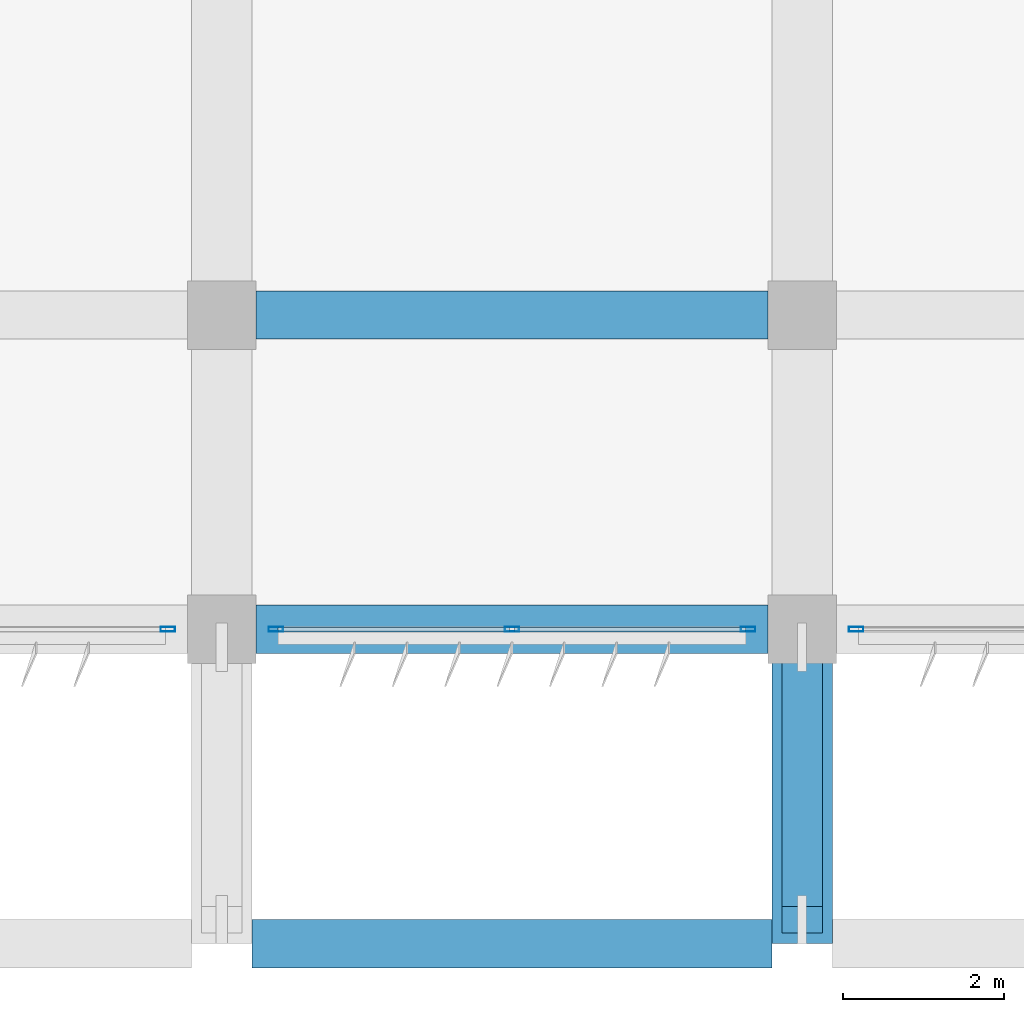
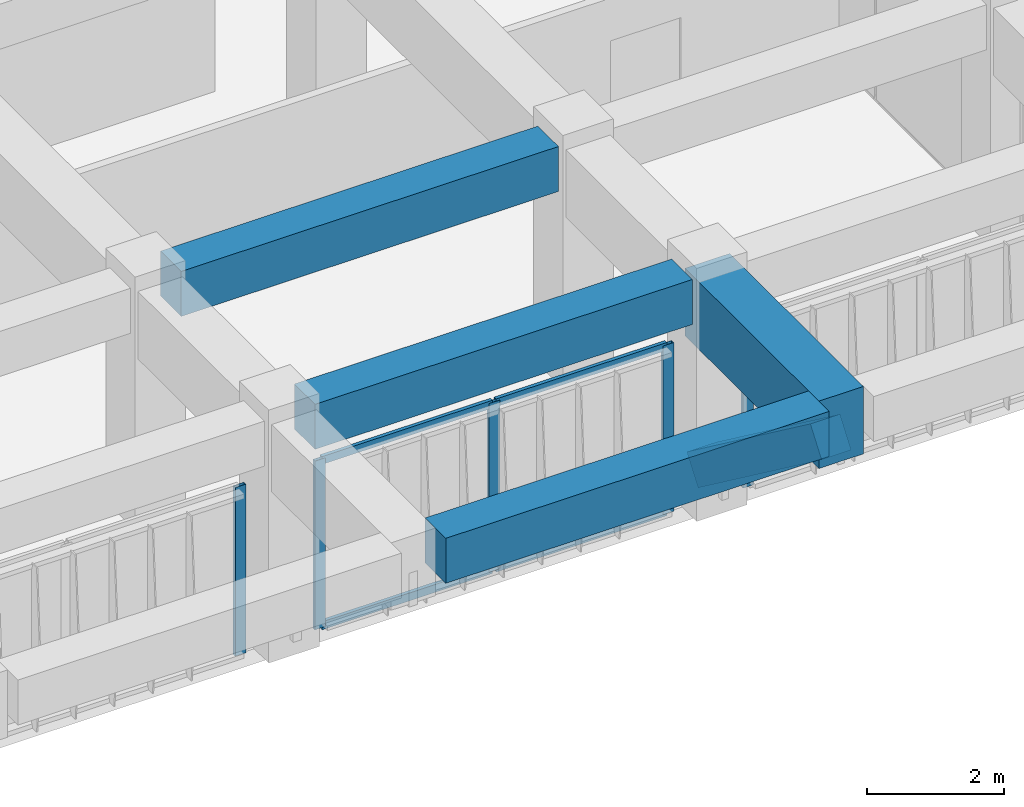
# One storey, part 19 of 56: 10 members, 4 beams, 3 elements without a shape of their own.
"""IFC4 building model written with IfcOpenShell, lengths in metres."""

import ifcopenshell
import ifcopenshell.guid

model = None  # the IFC model being written
_history = None  # IfcOwnerHistory: only IFC2X3 demands one
_inside = {}  # id of a spatial element -> (the spatial element, [elements in it])
_under = {}  # id of a project, library or spatial element -> (it, [spatial elements below it])
_declared = {}  # id of a project -> (the project, [libraries it declares])
_typed = {}  # id of a type object -> (the type object, [elements of that type])
_made_of = {}  # id of a material, layer set ... -> (it, [elements and type objects made of it])


def new_model(schema):
    """Start an empty IFC model of exactly this schema.

    Asked for "IFC4X3", IfcOpenShell would pick the latest addendum, in which some entities
    have other attributes; the version numbers below select the first issue.
    IFC2X3 requires an IfcOwnerHistory on every rooted entity: one is made here for all.
    """
    global model, _history
    if schema == "IFC4X3":
        model = ifcopenshell.file(schema_version=(4, 3, 0, 0))
    else:
        model = ifcopenshell.file(schema=schema)
    _inside.clear()
    _under.clear()
    _declared.clear()
    _typed.clear()
    _made_of.clear()
    _history = None
    if model.schema == "IFC2X3":
        org = make("IfcOrganization", Name="unknown")
        user = make(
            "IfcPersonAndOrganization",
            ThePerson=make("IfcPerson", FamilyName="unknown"),
            TheOrganization=org,
        )
        app = make(
            "IfcApplication",
            ApplicationDeveloper=org,
            Version="unknown",
            ApplicationFullName="unknown",
            ApplicationIdentifier="unknown",
        )
        _history = make(
            "IfcOwnerHistory",
            OwningUser=user,
            OwningApplication=app,
            ChangeAction="ADDED",
            CreationDate=0,
        )
    return model


def make(cls, **values):
    """One entity of the class cls with the attributes given. An attribute that is None is left unset."""
    return model.create_entity(
        cls, **{name: value for name, value in values.items() if value is not None}
    )


def rooted(cls, **values):
    """An entity with a GlobalId (a new one), such as an element, a storey or a relation."""
    return make(cls, GlobalId=ifcopenshell.guid.new(), OwnerHistory=_history, **values)


def si_unit(unit_type, name, prefix=None):
    """IfcSIUnit, for example si_unit("LENGTHUNIT", "METRE", prefix="MILLI")."""
    return make("IfcSIUnit", UnitType=unit_type, Prefix=prefix, Name=name)


def assignment(units):
    """IfcUnitAssignment: the units of a project."""
    return None if units is None else make("IfcUnitAssignment", Units=units)


def point(xyz):
    """IfcCartesianPoint."""
    return None if xyz is None else make("IfcCartesianPoint", Coordinates=xyz)


def direction(xyz):
    """IfcDirection."""
    return None if xyz is None else make("IfcDirection", DirectionRatios=xyz)


def frame(location, z_axis=None, x_axis=None):
    """IfcAxis2Placement3D, a coordinate frame: its origin and axes. An axis left out is left unset."""
    return make(
        "IfcAxis2Placement3D",
        Location=point(location),
        Axis=direction(z_axis),
        RefDirection=direction(x_axis),
    )


def frame_2d(location, x_axis=None):
    """IfcAxis2Placement2D, a coordinate frame in the plane: its origin and x axis."""
    return make(
        "IfcAxis2Placement2D", Location=point(location), RefDirection=direction(x_axis)
    )


def origin():
    """The frame at (0, 0, 0) with its axes left unset."""
    return frame((0.0, 0.0, 0.0))


def origin_2d():
    """The frame at (0, 0) in the plane with its x axis left unset."""
    return frame_2d((0.0, 0.0))


def place(relative_to, where):
    """IfcLocalPlacement: puts the frame where relative to a parent placement (None: the world)."""
    return make(
        "IfcLocalPlacement", PlacementRelTo=relative_to, RelativePlacement=where
    )


def context(
    kind, dimensions, precision=None, world=None, true_north=None, identifier=None
):
    """IfcGeometricRepresentationContext, for example the 3D "Model" context."""
    return make(
        "IfcGeometricRepresentationContext",
        ContextIdentifier=identifier,
        ContextType=kind,
        CoordinateSpaceDimension=dimensions,
        Precision=precision,
        WorldCoordinateSystem=world,
        TrueNorth=true_north,
    )


def subcontext(parent, identifier, kind, view, scale=None):
    """IfcGeometricRepresentationSubContext, for example "Body" below "Model"."""
    return make(
        "IfcGeometricRepresentationSubContext",
        ContextIdentifier=identifier,
        ContextType=kind,
        ParentContext=parent,
        TargetScale=scale,
        TargetView=view,
    )


def project(units=None, contexts=None):
    """IfcProject with its units and contexts."""
    return rooted(
        "IfcProject",
        Name="project",
        RepresentationContexts=contexts,
        UnitsInContext=assignment(units),
    )


def spatial(cls, under=None, at=None, **own):
    """A site, building, storey or space (cls), placed at a placement, below another one or the project."""
    s = rooted(cls, ObjectPlacement=at, **own)
    if under is not None:
        _under.setdefault(under.id(), (under, []))[1].append(s)
    return s


def profile(cls, at=None, kind="AREA", **sizes):
    """A parametric profile (cls). Its sizes go by their IFC names, for example OverallWidth=200.0."""
    return make(cls, ProfileType=kind, Position=at, **sizes)


def rectangle(**sizes):
    """IfcRectangleProfileDef."""
    return profile("IfcRectangleProfileDef", **sizes)


def hollow_rectangle(**sizes):
    """IfcRectangleHollowProfileDef."""
    return profile("IfcRectangleHollowProfileDef", **sizes)


def extrude(swept, where, along, depth):
    """IfcExtrudedAreaSolid: the profile swept, set in the frame where, extruded along a direction by depth."""
    return make(
        "IfcExtrudedAreaSolid",
        SweptArea=swept,
        Position=where,
        ExtrudedDirection=direction(along),
        Depth=depth,
    )


def shape(context_of_items, identifier, shape_type, items):
    """IfcShapeRepresentation: the items that make up one representation, for example the "Body"."""
    return make(
        "IfcShapeRepresentation",
        ContextOfItems=context_of_items,
        RepresentationIdentifier=identifier,
        RepresentationType=shape_type,
        Items=items,
    )


def material(Name=None, Category=None):
    """IfcMaterial."""
    return make("IfcMaterial", Name=Name, Category=Category)


def material_profile(
    of_material, cross_section, Name=None, Category=None, Priority=None
):
    """IfcMaterialProfile: a cross section and its material."""
    return make(
        "IfcMaterialProfile",
        Name=Name,
        Material=of_material,
        Profile=cross_section,
        Priority=Priority,
        Category=Category,
    )


def profile_set(profiles, Name=None, composite=None):
    """IfcMaterialProfileSet."""
    return make(
        "IfcMaterialProfileSet",
        Name=Name,
        MaterialProfiles=profiles,
        CompositeProfile=composite,
    )


def made_of(thing, what):
    """Note that an element or type object is made of a material, layer set ...; save() writes the relation."""
    if what is not None:
        _made_of.setdefault(what.id(), (what, []))[1].append(thing)
    return thing


def type_object(cls, material=None, **own):
    """A type object (cls), such as IfcWallType, which elements share."""
    return made_of(rooted(cls, **own), material)


def element(
    cls,
    number,
    at=None,
    inside=None,
    cuts=None,
    type_object=None,
    material=None,
    context=None,
    identifier="Body",
    shape_type=None,
    held_by="IfcProductDefinitionShape",
    body=None,
    shapes=None,
    **own,
):
    """One element of the class cls, such as IfcWall. Its Tag is "e" and its number.

    at: its placement. inside: the storey or other place that contains it. cuts: it is an
    opening in that element (IfcRelVoidsElement). A single representation is given by context,
    identifier, shape_type and body (its items); several are given by shapes. held_by: the class
    of the entity that holds the representations. save() writes the other relations.
    """
    e = rooted(cls, Tag="e%d" % number, ObjectPlacement=at, **own)
    if body is not None:
        shapes = [shape(context, identifier, shape_type, body)]
    if shapes is not None:
        e.Representation = make(held_by, Representations=shapes)
    if inside is not None:
        _inside.setdefault(inside.id(), (inside, []))[1].append(e)
    if cuts is not None:
        rooted(
            "IfcRelVoidsElement", RelatingBuildingElement=cuts, RelatedOpeningElement=e
        )
    if type_object is not None:
        _typed.setdefault(type_object.id(), (type_object, []))[1].append(e)
    return made_of(e, material)


def aggregate(whole, parts):
    """IfcRelAggregates: a whole, such as a stair, and the parts it consists of."""
    return rooted("IfcRelAggregates", RelatingObject=whole, RelatedObjects=parts)


def save(model, path):
    """Write the relations noted so far, then the file.

    IfcRelAggregates (storeys below a building ...), IfcRelContainedInSpatialStructure (elements
    in a storey), IfcRelDefinesByType, IfcRelAssociatesMaterial and IfcRelDeclares: one each for
    every whole, place, type object, material and project.
    """
    for whole, parts in _under.values():
        aggregate(whole, parts)
    for where, things in _inside.values():
        rooted(
            "IfcRelContainedInSpatialStructure",
            RelatedElements=things,
            RelatingStructure=where,
        )
    for kind, things in _typed.values():
        rooted("IfcRelDefinesByType", RelatedObjects=things, RelatingType=kind)
    for what, things in _made_of.values():
        rooted("IfcRelAssociatesMaterial", RelatedObjects=things, RelatingMaterial=what)
    for by, libraries in _declared.values():
        rooted("IfcRelDeclares", RelatingContext=by, RelatedDefinitions=libraries)
    model.write(path)


model = new_model("IFC4")

# Units and contexts
model_context = context("Model", 3, precision=1e-05, world=origin(), true_north=direction((0.0, 1.0)))
body_context = subcontext(model_context, "Body", "Model", "MODEL_VIEW")
ifc_project = project(units=[si_unit("LENGTHUNIT", "METRE"), si_unit("AREAUNIT", "SQUARE_METRE"), si_unit("VOLUMEUNIT", "CUBIC_METRE"), si_unit("PLANEANGLEUNIT", "RADIAN"), si_unit("MASSUNIT", "GRAM", prefix="KILO")], contexts=[model_context])

# Site, building, storey
site_placement = place(None, origin())
site = spatial("IfcSite", under=ifc_project, at=site_placement, CompositionType="ELEMENT")
building_placement = place(site_placement, origin())
building = spatial("IfcBuilding", under=site, at=building_placement, Name="Kazehaya Institute of Natural Sciences", CompositionType="ELEMENT")
storey_placement = place(building_placement, frame((0.0, 0.0, 24.300048828125)))
storey = spatial("IfcBuildingStorey", under=building, at=storey_placement, Name="L05", CompositionType="ELEMENT", Elevation=24.300048828125)

# Beams
ifc_material_1 = material(Name="Concrete Fc36", Category="concrete")
ifc_material_profile_1 = material_profile(ifc_material_1, rectangle(XDim=0.60009765625, YDim=0.800048828125, at=origin_2d()), Name="RC-600x800")
ifc_profile_set_1 = profile_set([ifc_material_profile_1], Name="Concrete Fc36")
beam_type_1 = type_object("IfcBeamType", Name="BM-G-600x800", PredefinedType="BEAM", material=ifc_profile_set_1)
beam_1_placement = place(storey_placement, frame((105.375, 6.199951171875, 3.829833984375), z_axis=(1.0, 0.0, 0.0), x_axis=(0.0, 1.0, 0.0)))
element("IfcBeam", 1, at=beam_1_placement, inside=storey, type_object=beam_type_1, Name="L05 primary X girder BMX-L05-1050-62", PredefinedType="BEAM", context=body_context, shape_type="SweptSolid", body=[
    extrude(rectangle(XDim=0.60009765625, YDim=0.800048828125, at=origin_2d()), origin(), (0.0, 0.0, 1.0), 6.449951171875),
])
for number, where, z_axis, x_axis, name in (
    (2, (105.425048828125, 10.10009765625, 3.829833984375), (1.0, 0.0, 0.0), (0.0, 1.0, 0.0), "L05 primary X girder BMX-L05-1050-101"),
    (3, (105.425048828125, 14.0, 3.829833984375), (1.0, 0.0, 0.0), (0.0, 1.0, 0.0), "L05 primary X girder BMX-L05-1050-140"),
):
    element("IfcBeam", number, at=place(storey_placement, frame(where, z_axis=z_axis, x_axis=x_axis)), inside=storey, type_object=beam_type_1, Name=name, PredefinedType="BEAM", context=body_context, shape_type="SweptSolid", body=[
        extrude(rectangle(XDim=0.60009765625, YDim=0.800048828125, at=origin_2d()), origin(), (0.0, 0.0, 1.0), 6.349853515625),
    ])
ifc_material_2 = material(Name="Concrete Fc42", Category="concrete")
ifc_material_profile_2 = material_profile(ifc_material_2, rectangle(XDim=0.75, YDim=1.199951171875, at=origin_2d()), Name="RC-750x1200")
ifc_profile_set_2 = profile_set([ifc_material_profile_2], Name="Concrete Fc42")
beam_type_2 = type_object("IfcBeamType", Name="BM-TG-750x1200", PredefinedType="BEAM", material=ifc_profile_set_2)
beam_2_placement = place(storey_placement, frame((112.199951171875, 6.199951171875, 3.6298828125), z_axis=(0.0, 1.0, 0.0), x_axis=(-1.0, 0.0, 0.0)))
element("IfcBeam", 4, at=beam_2_placement, inside=storey, type_object=beam_type_2, Name="L05 cantilever transfer girder 1759", PredefinedType="BEAM", context=body_context, shape_type="SweptSolid", body=[
    extrude(rectangle(XDim=0.75, YDim=1.199951171875, at=origin_2d()), origin(), (0.0, 0.0, 1.0), 3.900146484375),
])

# Curtain wall, member
ifc_material_3 = material(Name="Aluminium alloy A6063S-T5", Category="aluminium")
curtain_wall_type = type_object("IfcCurtainWallType", Name="CW-SYS-04", PredefinedType="NOTDEFINED", material=ifc_material_3)
curtain_wall_1_placement = place(storey_placement, origin())
curtain_wall_1 = element("IfcCurtainWall", 5, at=curtain_wall_1_placement, inside=storey, type_object=curtain_wall_type, Name="L05 unitised curtain wall CW-L05-094", PredefinedType="NOTDEFINED")
ifc_material_profile_3 = material_profile(ifc_material_3, hollow_rectangle(XDim=0.06005859375, YDim=0.179931640625, WallThickness=0.00390625, at=origin_2d()), Name="ALU-60x180x4")
ifc_profile_set_3 = profile_set([ifc_material_profile_3], Name="Aluminium alloy A6063S-T5")
member_type_1 = type_object("IfcMemberType", Name="CWM-180", PredefinedType="MULLION", material=ifc_profile_set_3)
member_1_placement = place(storey_placement, frame((112.8701171875, 10.10009765625, 0.0), z_axis=(0.0, 0.0, 1.0), x_axis=(0.0, -1.0, 0.0)))
member_1 = element("IfcMember", 6, at=member_1_placement, type_object=member_type_1, Name="CW04 mullion 3", PredefinedType="MULLION", context=body_context, shape_type="SweptSolid", body=[
    extrude(hollow_rectangle(XDim=0.06005859375, YDim=0.179931640625, WallThickness=0.00390625, at=origin_2d()), origin(), (0.0, 0.0, 1.0), 3.0),
])
aggregate(curtain_wall_1, [member_1])

# Curtain wall, members
curtain_wall_2_placement = place(storey_placement, origin())
curtain_wall_2 = element("IfcCurtainWall", 7, at=curtain_wall_2_placement, inside=storey, type_object=curtain_wall_type, Name="L05 unitised curtain wall CW-L05-095", PredefinedType="NOTDEFINED")
member_2_placement = place(storey_placement, frame((111.530029296875, 10.10009765625, 0.0), z_axis=(0.0, 0.0, 1.0), x_axis=(0.0, -1.0, 0.0)))
member_2 = element("IfcMember", 8, at=member_2_placement, type_object=member_type_1, Name="CW04 mullion 1", PredefinedType="MULLION", context=body_context, shape_type="SweptSolid", body=[
    extrude(hollow_rectangle(XDim=0.06005859375, YDim=0.179931640625, WallThickness=0.00390625, at=origin_2d()), origin(), (0.0, 0.0, 1.0), 3.0),
])
member_3_placement = place(storey_placement, frame((108.60009765625, 10.10009765625, 0.0), z_axis=(0.0, 0.0, 1.0), x_axis=(0.0, -1.0, 0.0)))
member_3 = element("IfcMember", 9, at=member_3_placement, type_object=member_type_1, Name="CW04 mullion 2", PredefinedType="MULLION", context=body_context, shape_type="SweptSolid", body=[
    extrude(hollow_rectangle(XDim=0.06005859375, YDim=0.179931640625, WallThickness=0.00390625, at=origin_2d()), origin(), (0.0, 0.0, 1.0), 3.0),
])
member_4_placement = place(storey_placement, frame((105.669921875, 10.10009765625, 0.0), z_axis=(0.0, 0.0, 1.0), x_axis=(0.0, -1.0, 0.0)))
member_4 = element("IfcMember", 10, at=member_4_placement, type_object=member_type_1, Name="CW04 mullion 3", PredefinedType="MULLION", context=body_context, shape_type="SweptSolid", body=[
    extrude(hollow_rectangle(XDim=0.06005859375, YDim=0.179931640625, WallThickness=0.00390625, at=origin_2d()), origin(), (0.0, 0.0, 1.0), 3.0),
])

# Curtain wall, member
curtain_wall_3_placement = place(storey_placement, origin())
curtain_wall_3 = element("IfcCurtainWall", 11, at=curtain_wall_3_placement, inside=storey, type_object=curtain_wall_type, Name="L05 unitised curtain wall CW-L05-096", PredefinedType="NOTDEFINED")
member_5_placement = place(storey_placement, frame((104.330078125, 10.10009765625, 0.0), z_axis=(0.0, 0.0, 1.0), x_axis=(0.0, -1.0, 0.0)))
member_5 = element("IfcMember", 12, at=member_5_placement, type_object=member_type_1, Name="CW04 mullion 1", PredefinedType="MULLION", context=body_context, shape_type="SweptSolid", body=[
    extrude(hollow_rectangle(XDim=0.06005859375, YDim=0.179931640625, WallThickness=0.00390625, at=origin_2d()), origin(), (0.0, 0.0, 1.0), 3.0),
])
aggregate(curtain_wall_3, [member_5])

# Member
ifc_material_profile_4 = material_profile(ifc_material_3, hollow_rectangle(XDim=0.06005859375, YDim=0.139892578125, WallThickness=0.00341796875, at=origin_2d()), Name="ALU-60x140x3.5")
ifc_profile_set_4 = profile_set([ifc_material_profile_4], Name="Aluminium alloy A6063S-T5")
member_type_2 = type_object("IfcMemberType", Name="CWT-140", PredefinedType="USERDEFINED", material=ifc_profile_set_4)
member_6_placement = place(storey_placement, frame((111.5, 10.10009765625, 0.030029296875), z_axis=(-1.0, 0.0, 0.0), x_axis=(0.0, -1.0, 0.0)))
member_6 = element("IfcMember", 13, at=member_6_placement, type_object=member_type_2, Name="CW04 transom 1.1", ObjectType="TRANSOM", PredefinedType="USERDEFINED", context=body_context, shape_type="SweptSolid", body=[
    extrude(hollow_rectangle(XDim=0.06005859375, YDim=0.139892578125, WallThickness=0.00341796875, at=origin_2d()), origin(), (0.0, 0.0, 1.0), 2.8701171875),
])

member_7_placement = place(storey_placement, frame((111.5, 10.10009765625, 2.969970703125), z_axis=(-1.0, 0.0, 0.0), x_axis=(0.0, -1.0, 0.0)))
member_7 = element("IfcMember", 14, at=member_7_placement, type_object=member_type_2, Name="CW04 transom 1.2", ObjectType="TRANSOM", PredefinedType="USERDEFINED", context=body_context, shape_type="SweptSolid", body=[
    extrude(hollow_rectangle(XDim=0.06005859375, YDim=0.139892578125, WallThickness=0.00341796875, at=origin_2d()), origin(), (0.0, 0.0, 1.0), 2.8701171875),
])

member_8_placement = place(storey_placement, frame((108.570068359375, 10.10009765625, 0.030029296875), z_axis=(-1.0, 0.0, 0.0), x_axis=(0.0, -1.0, 0.0)))
member_8 = element("IfcMember", 15, at=member_8_placement, type_object=member_type_2, Name="CW04 transom 2.1", ObjectType="TRANSOM", PredefinedType="USERDEFINED", context=body_context, shape_type="SweptSolid", body=[
    extrude(hollow_rectangle(XDim=0.06005859375, YDim=0.139892578125, WallThickness=0.00341796875, at=origin_2d()), origin(), (0.0, 0.0, 1.0), 2.8701171875),
])

member_9_placement = place(storey_placement, frame((108.570068359375, 10.10009765625, 2.969970703125), z_axis=(-1.0, 0.0, 0.0), x_axis=(0.0, -1.0, 0.0)))
member_9 = element("IfcMember", 16, at=member_9_placement, type_object=member_type_2, Name="CW04 transom 2.2", ObjectType="TRANSOM", PredefinedType="USERDEFINED", context=body_context, shape_type="SweptSolid", body=[
    extrude(hollow_rectangle(XDim=0.06005859375, YDim=0.139892578125, WallThickness=0.00341796875, at=origin_2d()), origin(), (0.0, 0.0, 1.0), 2.8701171875),
])

aggregate(curtain_wall_2, [member_2, member_3, member_4, member_6, member_7, member_8, member_9])

ifc_material_profile_5 = material_profile(ifc_material_2, rectangle(XDim=0.5, YDim=0.550048828125, at=origin_2d()), Name="RC-500x550")
ifc_profile_set_5 = profile_set([ifc_material_profile_5], Name="Concrete Fc42")
member_type_3 = type_object("IfcMemberType", Name="MEM-STRUT-RC500", PredefinedType="BRACE", material=ifc_profile_set_5)
member_10_placement = place(storey_placement, frame((112.199951171875, 10.10009765625, 0.599853515625), z_axis=(0.0, -0.802122938841, 0.597158932768), x_axis=(1.0, 0.0, 0.0)))
element("IfcMember", 17, at=member_10_placement, inside=storey, type_object=member_type_3, Name="L05 raked cantilever strut 019", PredefinedType="BRACE", context=body_context, shape_type="SweptSolid", body=[
    extrude(rectangle(XDim=0.5, YDim=0.550048828125, at=origin_2d()), origin(), (0.0, 0.0, 1.0), 4.48828125),
])

save(model, "model.ifc")
